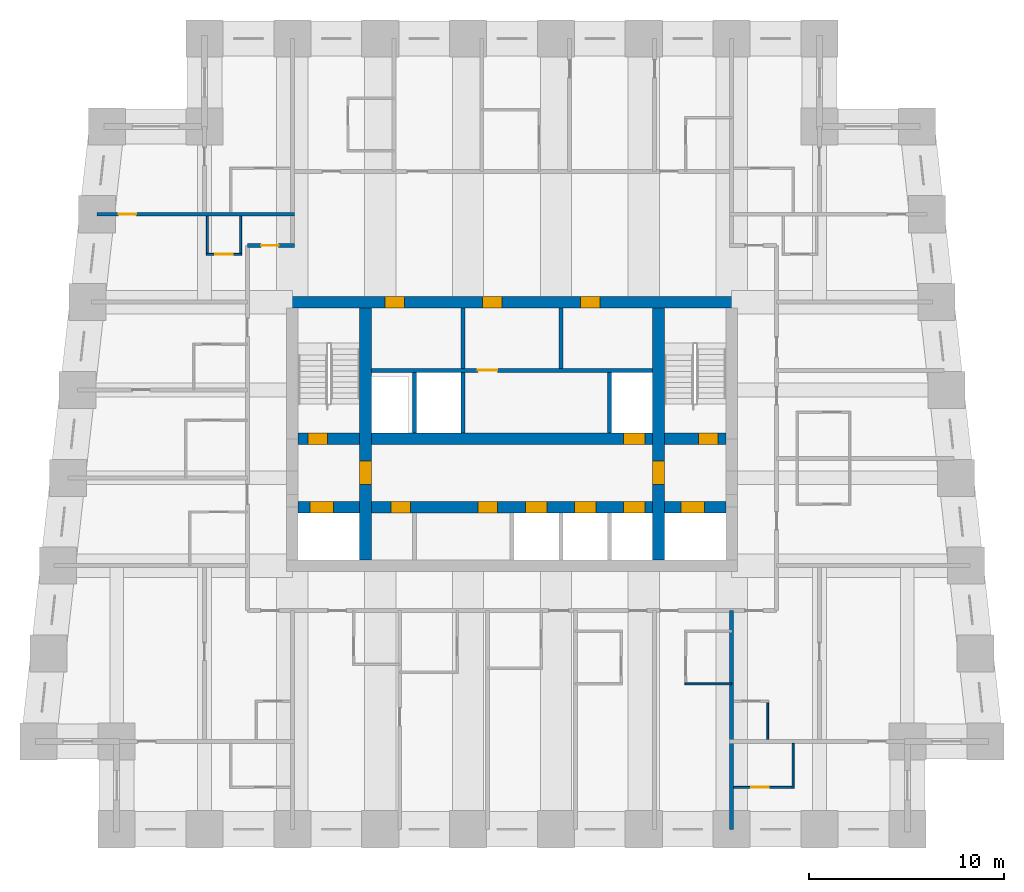
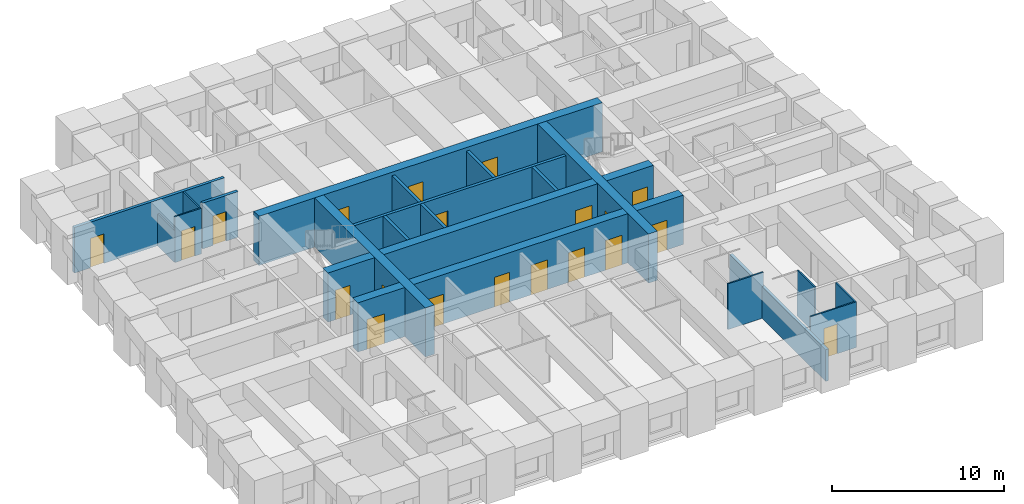
# One storey, part 4 of 8: 21 walls, 20 doors, 20 openings.
"""IFC4 building model written with IfcOpenShell, lengths in metres."""

from ifc_helpers import new_model, si_unit, direction, frame, frame_2d, origin, place, context, subcontext, project, spatial, rectangle, extrude, material, layer, layer_set, type_object, element, fill, save


model = new_model("IFC4")

# Units and contexts
model_context = context("Model", 3, precision=1e-05, world=origin(), true_north=direction((0.0, 1.0)))
body_context = subcontext(model_context, "Body", "Model", "MODEL_VIEW")
ifc_project = project(units=[si_unit("LENGTHUNIT", "METRE"), si_unit("AREAUNIT", "SQUARE_METRE"), si_unit("VOLUMEUNIT", "CUBIC_METRE"), si_unit("PLANEANGLEUNIT", "RADIAN"), si_unit("MASSUNIT", "GRAM", prefix="KILO")], contexts=[model_context])

# Site, building, storey
site_placement = place(None, origin())
site = spatial("IfcSite", under=ifc_project, at=site_placement, CompositionType="ELEMENT")
building_placement = place(site_placement, origin())
building = spatial("IfcBuilding", under=site, at=building_placement, Name="Kilele Tower Hotel", CompositionType="ELEMENT")
storey_placement = place(building_placement, frame((0.0, 0.0, 124.89990234375)))
storey = spatial("IfcBuildingStorey", under=building, at=storey_placement, Name="L32", CompositionType="ELEMENT", Elevation=124.89990234375)

# Walls
ifc_material_1 = material(Name="Moisture-resistant board")
ifc_layer_1 = layer(ifc_material_1, 0.10009765625)
ifc_layer_set_1 = layer_set([ifc_layer_1], Name="Moisture-resistant board")
wall_type_1 = type_object("IfcWallType", Name="Bathroom partition 100", PredefinedType="PLUMBINGWALL", material=ifc_layer_set_1)
wall_1_placement = place(storey_placement, frame((33.60009765625, 7.449951171875, 0.0), z_axis=(0.0, 0.0, 1.0), x_axis=(1.0, 0.0, 0.0)))
element("IfcWall", 1, at=wall_1_placement, inside=storey, type_object=wall_type_1, Name="Bathroom partition 100 L32", PredefinedType="PLUMBINGWALL", context=body_context, shape_type="SweptSolid", body=[
    extrude(rectangle(XDim=2.39990234375, YDim=0.10009765625, at=frame_2d((1.199951171875, 0.0))), origin(), (0.0, 0.0, 1.0), 3.25),
])
wall_2_placement = place(storey_placement, frame((37.85009765625, 4.60009765625, 0.0), z_axis=(0.0, 0.0, 1.0), x_axis=(0.0, 1.0, 0.0)))
element("IfcWall", 2, at=wall_2_placement, inside=storey, type_object=wall_type_1, Name="Bathroom partition 100 L32", PredefinedType="PLUMBINGWALL", context=body_context, shape_type="SweptSolid", body=[
    extrude(rectangle(XDim=2.0, YDim=0.10009765625, at=frame_2d((1.0, 0.0))), origin(), (0.0, 0.0, 1.0), 3.25),
])
wall_3_placement = place(storey_placement, frame((39.14990234375, 4.39990234375, 0.0), z_axis=(0.0, 0.0, 1.0), x_axis=(0.0, -1.0, 0.0)))
element("IfcWall", 3, at=wall_3_placement, inside=storey, type_object=wall_type_1, Name="Bathroom partition 100 L32", PredefinedType="PLUMBINGWALL", context=body_context, shape_type="SweptSolid", body=[
    extrude(rectangle(XDim=2.2998046875, YDim=0.10009765625, at=frame_2d((1.14990234375, 0.0))), origin(), (0.0, 0.0, 1.0), 3.25),
])

# Wall, opening, door
wall_4_placement = place(storey_placement, frame((36.10009765625, 2.14990234375, 0.0), z_axis=(0.0, 0.0, 1.0), x_axis=(1.0, 0.0, 0.0)))
wall_4 = element("IfcWall", 4, at=wall_4_placement, inside=storey, type_object=wall_type_1, Name="Bathroom partition 100 L32", PredefinedType="PLUMBINGWALL", context=body_context, shape_type="SweptSolid", body=[
    extrude(rectangle(XDim=3.099853515625, YDim=0.10009765625, at=frame_2d((1.5498046875, 0.0))), origin(), (0.0, 0.0, 1.0), 3.25),
])
opening_1_placement = place(wall_4_placement, frame((1.7998046875, 0.0, 0.0), z_axis=(0.0, 0.0, 1.0), x_axis=(-1.0, 0.0, 0.0)))
opening_1 = element("IfcOpeningElement", 5, at=opening_1_placement, cuts=wall_4, Name="Opening D2A", PredefinedType="OPENING", context=body_context, shape_type="SweptSolid", body=[
    extrude(rectangle(XDim=0.89990234375, YDim=2.10009765625, at=frame_2d((0.449951171875, 1.050048828125))), frame((0.0, 0.06005859375, 0.0), z_axis=(0.0, -1.0, 0.0), x_axis=(1.0, 0.0, 0.0)), (0.0, 0.0, 1.0), 0.1201171875),
])
ifc_material_2 = material(Name="Timber door leaf in hardwood frame", Category="wood")
door_type_1 = type_object("IfcDoorType", Name="Bathroom door 900", OperationType="SINGLE_SWING_LEFT", PredefinedType="DOOR", material=ifc_material_2)
door_1_placement = place(opening_1_placement, origin())
door_1 = element("IfcDoor", 6, at=door_1_placement, inside=storey, type_object=door_type_1, Name="Bathroom door 3222B", OperationType="SINGLE_SWING_RIGHT", OverallHeight=2.10009765625, OverallWidth=0.89990234375, PredefinedType="DOOR", context=body_context, shape_type="SweptSolid", body=[
    extrude(rectangle(XDim=0.89990234375, YDim=2.10009765625, at=frame_2d((0.449951171875, 1.050048828125))), frame((0.0, 0.02490234375, 0.0), z_axis=(0.0, -1.0, 0.0), x_axis=(1.0, 0.0, 0.0)), (0.0, 0.0, 1.0), 0.050048828125),
])
fill(opening_1, door_1)

# Walls
wall_5_placement = place(storey_placement, frame((9.14990234375, 31.39990234375, 0.0), z_axis=(0.0, 0.0, 1.0), x_axis=(0.0, -1.0, 0.0)))
element("IfcWall", 7, at=wall_5_placement, inside=storey, type_object=wall_type_1, Name="Bathroom partition 100 L32", PredefinedType="PLUMBINGWALL", context=body_context, shape_type="SweptSolid", body=[
    extrude(rectangle(XDim=2.0, YDim=0.10009765625, at=frame_2d((1.0, 0.0))), origin(), (0.0, 0.0, 1.0), 2.25),
])
wall_6_placement = place(storey_placement, frame((10.85009765625, 31.39990234375, 0.0), z_axis=(0.0, 0.0, 1.0), x_axis=(0.0, -1.0, 0.0)))
element("IfcWall", 8, at=wall_6_placement, inside=storey, type_object=wall_type_1, Name="Bathroom partition 100 L32", PredefinedType="PLUMBINGWALL", context=body_context, shape_type="SweptSolid", body=[
    extrude(rectangle(XDim=2.0, YDim=0.10009765625, at=frame_2d((1.0, 0.0))), origin(), (0.0, 0.0, 1.0), 3.25),
])

# Wall, opening, door
wall_7_placement = place(storey_placement, frame((10.89990234375, 29.449951171875, 0.0), z_axis=(0.0, 0.0, 1.0), x_axis=(-1.0, 0.0, 0.0)))
wall_7 = element("IfcWall", 9, at=wall_7_placement, inside=storey, type_object=wall_type_1, Name="Bathroom partition 100 L32", PredefinedType="PLUMBINGWALL", context=body_context, shape_type="SweptSolid", body=[
    extrude(rectangle(XDim=1.7998046875, YDim=0.10009765625, at=frame_2d((0.89990234375, 0.0))), origin(), (0.0, 0.0, 1.0), 3.25),
])
opening_2_placement = place(wall_7_placement, frame((0.449951171875, 0.0, 0.0)))
opening_2 = element("IfcOpeningElement", 10, at=opening_2_placement, cuts=wall_7, Name="Opening D2A", PredefinedType="OPENING", context=body_context, shape_type="SweptSolid", body=[
    extrude(rectangle(XDim=0.89990234375, YDim=2.10009765625, at=frame_2d((0.449951171875, 1.050048828125))), frame((0.0, 0.06005859375, 0.0), z_axis=(0.0, -1.0, 0.0), x_axis=(1.0, 0.0, 0.0)), (0.0, 0.0, 1.0), 0.1201171875),
])
door_2_placement = place(opening_2_placement, origin())
door_2 = element("IfcDoor", 11, at=door_2_placement, inside=storey, type_object=door_type_1, Name="Bathroom door 3226P", OperationType="SINGLE_SWING_LEFT", OverallHeight=2.10009765625, OverallWidth=0.89990234375, PredefinedType="DOOR", context=body_context, shape_type="SweptSolid", body=[
    extrude(rectangle(XDim=0.89990234375, YDim=2.10009765625, at=frame_2d((0.449951171875, 1.050048828125))), frame((0.0, 0.02490234375, 0.0), z_axis=(0.0, -1.0, 0.0), x_axis=(1.0, 0.0, 0.0)), (0.0, 0.0, 1.0), 0.050048828125),
])
fill(opening_2, door_2)

# Wall, openings, doors
ifc_material_3 = material(Name="Concrete C60/75", Category="concrete")
ifc_layer_2 = layer(ifc_material_3, 0.60009765625)
ifc_layer_set_2 = layer_set([ifc_layer_2], Name="Concrete C60/75")
wall_type_2 = type_object("IfcWallType", Name="Core wall 600 C60/75", PredefinedType="SHEAR", material=ifc_layer_set_2)
wall_8_placement = place(storey_placement, frame((36.300048828125, 27.0, 0.0), z_axis=(0.0, 0.0, 1.0), x_axis=(-1.0, 0.0, 0.0)))
wall_8 = element("IfcWall", 12, at=wall_8_placement, inside=storey, type_object=wall_type_2, Name="Core wall N L32", PredefinedType="SHEAR", context=body_context, shape_type="SweptSolid", body=[
    extrude(rectangle(XDim=23.10009765625, YDim=0.60009765625, at=frame_2d((11.550048828125, 0.0))), origin(), (0.0, 0.0, 1.0), 3.5),
])
opening_3_placement = place(wall_8_placement, frame((17.050048828125, 0.0, 0.0)))
opening_3 = element("IfcOpeningElement", 13, at=opening_3_placement, cuts=wall_8, Name="Opening D6", PredefinedType="OPENING", context=body_context, shape_type="SweptSolid", body=[
    extrude(rectangle(XDim=1.0, YDim=2.10009765625, at=frame_2d((0.5, 1.050048828125))), frame((0.0, 0.31005859375, 0.0), z_axis=(0.0, -1.0, 0.0), x_axis=(1.0, 0.0, 0.0)), (0.0, 0.0, 1.0), 0.6201171875),
])
opening_4_placement = place(wall_8_placement, frame((12.050048828125, 0.0, 0.0)))
opening_4 = element("IfcOpeningElement", 14, at=opening_4_placement, cuts=wall_8, Name="Opening D6", PredefinedType="OPENING", context=body_context, shape_type="SweptSolid", body=[
    extrude(rectangle(XDim=1.0, YDim=2.10009765625, at=frame_2d((0.5, 1.050048828125))), frame((0.0, 0.31005859375, 0.0), z_axis=(0.0, -1.0, 0.0), x_axis=(1.0, 0.0, 0.0)), (0.0, 0.0, 1.0), 0.6201171875),
])
opening_5_placement = place(wall_8_placement, frame((7.050048828125, 0.0, 0.0)))
opening_5 = element("IfcOpeningElement", 15, at=opening_5_placement, cuts=wall_8, Name="Opening D6", PredefinedType="OPENING", context=body_context, shape_type="SweptSolid", body=[
    extrude(rectangle(XDim=1.0, YDim=2.10009765625, at=frame_2d((0.5, 1.050048828125))), frame((0.0, 0.31005859375, 0.0), z_axis=(0.0, -1.0, 0.0), x_axis=(1.0, 0.0, 0.0)), (0.0, 0.0, 1.0), 0.6201171875),
])
ifc_material_4 = material(Name="Timber door leaf in hardwood frame", Category="wood")
door_type_2 = type_object("IfcDoorType", Name="Riser door 1000", OperationType="SINGLE_SWING_LEFT", PredefinedType="DOOR", material=ifc_material_4)
door_3_placement = place(opening_3_placement, origin())
door_3 = element("IfcDoor", 16, at=door_3_placement, inside=storey, type_object=door_type_2, Name="Service riser door L32", OperationType="SINGLE_SWING_RIGHT", OverallHeight=2.10009765625, OverallWidth=1.0, PredefinedType="DOOR", context=body_context, shape_type="SweptSolid", body=[
    extrude(rectangle(XDim=1.0, YDim=2.10009765625, at=frame_2d((0.5, 1.050048828125))), frame((0.0, 0.2998046875, 0.0), z_axis=(0.0, -1.0, 0.0), x_axis=(1.0, 0.0, 0.0)), (0.0, 0.0, 1.0), 0.599609375),
])
fill(opening_3, door_3)
door_4_placement = place(opening_4_placement, origin())
door_4 = element("IfcDoor", 17, at=door_4_placement, inside=storey, type_object=door_type_2, Name="Housekeeping store door L32", OperationType="SINGLE_SWING_RIGHT", OverallHeight=2.10009765625, OverallWidth=1.0, PredefinedType="DOOR", context=body_context, shape_type="SweptSolid", body=[
    extrude(rectangle(XDim=1.0, YDim=2.10009765625, at=frame_2d((0.5, 1.050048828125))), frame((0.0, 0.2998046875, 0.0), z_axis=(0.0, -1.0, 0.0), x_axis=(1.0, 0.0, 0.0)), (0.0, 0.0, 1.0), 0.599609375),
])
fill(opening_4, door_4)
door_5_placement = place(opening_5_placement, origin())
door_5 = element("IfcDoor", 18, at=door_5_placement, inside=storey, type_object=door_type_2, Name="Electrical riser door L32", OperationType="SINGLE_SWING_RIGHT", OverallHeight=2.10009765625, OverallWidth=1.0, PredefinedType="DOOR", context=body_context, shape_type="SweptSolid", body=[
    extrude(rectangle(XDim=1.0, YDim=2.10009765625, at=frame_2d((0.5, 1.050048828125))), frame((0.0, 0.2998046875, 0.0), z_axis=(0.0, -1.0, 0.0), x_axis=(1.0, 0.0, 0.0)), (0.0, 0.0, 1.0), 0.599609375),
])
fill(opening_5, door_5)

# Wall, opening, door
wall_9_placement = place(storey_placement, frame((17.25, 13.800048828125, 0.0), z_axis=(0.0, 0.0, 1.0), x_axis=(0.0, 1.0, 0.0)))
wall_9 = element("IfcWall", 19, at=wall_9_placement, inside=storey, type_object=wall_type_2, Name="Core wall IW L32", PredefinedType="SHEAR", context=body_context, shape_type="SweptSolid", body=[
    extrude(rectangle(XDim=12.89990234375, YDim=0.60009765625, at=frame_2d((6.449951171875, 0.0))), origin(), (0.0, 0.0, 1.0), 3.5),
])
opening_6_placement = place(wall_9_placement, frame((3.85009765625, 0.0, 0.0)))
opening_6 = element("IfcOpeningElement", 20, at=opening_6_placement, cuts=wall_9, Name="Opening D4", PredefinedType="OPENING", context=body_context, shape_type="SweptSolid", body=[
    extrude(rectangle(XDim=1.199951171875, YDim=2.10009765625, at=frame_2d((0.60009765625, 1.050048828125))), frame((0.0, 0.31005859375, 0.0), z_axis=(0.0, -1.0, 0.0), x_axis=(1.0, 0.0, 0.0)), (0.0, 0.0, 1.0), 0.6201171875),
])
ifc_material_5 = material(Name="Timber door leaf in hardwood frame", Category="wood")
door_type_3 = type_object("IfcDoorType", Name="Firefighting lobby door 1200", OperationType="SINGLE_SWING_LEFT", PredefinedType="DOOR", material=ifc_material_5)
door_6_placement = place(opening_6_placement, origin())
door_6 = element("IfcDoor", 21, at=door_6_placement, inside=storey, type_object=door_type_3, Name="Lobby door L32", OperationType="SINGLE_SWING_LEFT", OverallHeight=2.10009765625, OverallWidth=1.199951171875, PredefinedType="DOOR", context=body_context, shape_type="SweptSolid", body=[
    extrude(rectangle(XDim=1.199951171875, YDim=2.10009765625, at=frame_2d((0.60009765625, 1.050048828125))), frame((0.0, 0.2998046875, 0.0), z_axis=(0.0, -1.0, 0.0), x_axis=(1.0, 0.0, 0.0)), (0.0, 0.0, 1.0), 0.599609375),
])
fill(opening_6, door_6)

wall_10_placement = place(storey_placement, frame((32.25, 13.800048828125, 0.0), z_axis=(0.0, 0.0, 1.0), x_axis=(0.0, 1.0, 0.0)))
wall_10 = element("IfcWall", 22, at=wall_10_placement, inside=storey, type_object=wall_type_2, Name="Core wall IE L32", PredefinedType="SHEAR", context=body_context, shape_type="SweptSolid", body=[
    extrude(rectangle(XDim=12.89990234375, YDim=0.60009765625, at=frame_2d((6.449951171875, 0.0))), origin(), (0.0, 0.0, 1.0), 3.5),
])
opening_7_placement = place(wall_10_placement, frame((5.050048828125, 0.0, 0.0), z_axis=(0.0, 0.0, 1.0), x_axis=(-1.0, 0.0, 0.0)))
opening_7 = element("IfcOpeningElement", 23, at=opening_7_placement, cuts=wall_10, Name="Opening D4", PredefinedType="OPENING", context=body_context, shape_type="SweptSolid", body=[
    extrude(rectangle(XDim=1.199951171875, YDim=2.10009765625, at=frame_2d((0.60009765625, 1.050048828125))), frame((0.0, 0.31005859375, 0.0), z_axis=(0.0, -1.0, 0.0), x_axis=(1.0, 0.0, 0.0)), (0.0, 0.0, 1.0), 0.6201171875),
])
door_7_placement = place(opening_7_placement, origin())
door_7 = element("IfcDoor", 24, at=door_7_placement, inside=storey, type_object=door_type_3, Name="Lobby door L32", OperationType="SINGLE_SWING_RIGHT", OverallHeight=2.10009765625, OverallWidth=1.199951171875, PredefinedType="DOOR", context=body_context, shape_type="SweptSolid", body=[
    extrude(rectangle(XDim=1.199951171875, YDim=2.10009765625, at=frame_2d((0.60009765625, 1.050048828125))), frame((0.0, 0.2998046875, 0.0), z_axis=(0.0, -1.0, 0.0), x_axis=(1.0, 0.0, 0.0)), (0.0, 0.0, 1.0), 0.599609375),
])
fill(opening_7, door_7)

# Wall, openings, doors
wall_11_placement = place(storey_placement, frame((13.800048828125, 16.5, 0.0), z_axis=(0.0, 0.0, 1.0), x_axis=(1.0, 0.0, 0.0)))
wall_11 = element("IfcWall", 25, at=wall_11_placement, inside=storey, type_object=wall_type_2, Name="Core wall LS L32", PredefinedType="SHEAR", context=body_context, shape_type="SweptSolid", body=[
    extrude(rectangle(XDim=21.89990234375, YDim=0.60009765625, at=frame_2d((10.949951171875, 0.0))), origin(), (0.0, 0.0, 1.0), 3.5),
])
opening_8_placement = place(wall_11_placement, frame((11.64990234375, 0.0, 0.0)))
opening_8 = element("IfcOpeningElement", 26, at=opening_8_placement, cuts=wall_11, Name="Opening LD1", PredefinedType="OPENING", context=body_context, shape_type="SweptSolid", body=[
    extrude(rectangle(XDim=1.10009765625, YDim=2.10009765625, at=frame_2d((0.550048828125, 1.050048828125))), frame((0.0, 0.31005859375, 0.0), z_axis=(0.0, -1.0, 0.0), x_axis=(1.0, 0.0, 0.0)), (0.0, 0.0, 1.0), 0.6201171875),
])
opening_9_placement = place(wall_11_placement, frame((14.14990234375, 0.0, 0.0)))
opening_9 = element("IfcOpeningElement", 27, at=opening_9_placement, cuts=wall_11, Name="Opening LD1", PredefinedType="OPENING", context=body_context, shape_type="SweptSolid", body=[
    extrude(rectangle(XDim=1.10009765625, YDim=2.10009765625, at=frame_2d((0.550048828125, 1.050048828125))), frame((0.0, 0.31005859375, 0.0), z_axis=(0.0, -1.0, 0.0), x_axis=(1.0, 0.0, 0.0)), (0.0, 0.0, 1.0), 0.6201171875),
])
opening_10_placement = place(wall_11_placement, frame((16.64990234375, 0.0, 0.0)))
opening_10 = element("IfcOpeningElement", 28, at=opening_10_placement, cuts=wall_11, Name="Opening LD1", PredefinedType="OPENING", context=body_context, shape_type="SweptSolid", body=[
    extrude(rectangle(XDim=1.10009765625, YDim=2.10009765625, at=frame_2d((0.550048828125, 1.050048828125))), frame((0.0, 0.31005859375, 0.0), z_axis=(0.0, -1.0, 0.0), x_axis=(1.0, 0.0, 0.0)), (0.0, 0.0, 1.0), 0.6201171875),
])
opening_11_placement = place(wall_11_placement, frame((5.75, 0.0, 0.0), z_axis=(0.0, 0.0, 1.0), x_axis=(-1.0, 0.0, 0.0)))
opening_11 = element("IfcOpeningElement", 29, at=opening_11_placement, cuts=wall_11, Name="Opening D11", PredefinedType="OPENING", context=body_context, shape_type="SweptSolid", body=[
    extrude(rectangle(XDim=1.0, YDim=2.10009765625, at=frame_2d((0.5, 1.050048828125))), frame((0.0, 0.31005859375, 0.0), z_axis=(0.0, -1.0, 0.0), x_axis=(1.0, 0.0, 0.0)), (0.0, 0.0, 1.0), 0.6201171875),
])
opening_12_placement = place(wall_11_placement, frame((10.199951171875, 0.0, 0.0), z_axis=(0.0, 0.0, 1.0), x_axis=(-1.0, 0.0, 0.0)))
opening_12 = element("IfcOpeningElement", 30, at=opening_12_placement, cuts=wall_11, Name="Opening D11", PredefinedType="OPENING", context=body_context, shape_type="SweptSolid", body=[
    extrude(rectangle(XDim=1.0, YDim=2.10009765625, at=frame_2d((0.5, 1.050048828125))), frame((0.0, 0.31005859375, 0.0), z_axis=(0.0, -1.0, 0.0), x_axis=(1.0, 0.0, 0.0)), (0.0, 0.0, 1.0), 0.6201171875),
])
opening_13_placement = place(wall_11_placement, frame((0.60009765625, 0.0, 0.0)))
opening_13 = element("IfcOpeningElement", 31, at=opening_13_placement, cuts=wall_11, Name="Opening LD2", PredefinedType="OPENING", context=body_context, shape_type="SweptSolid", body=[
    extrude(rectangle(XDim=1.199951171875, YDim=2.10009765625, at=frame_2d((0.60009765625, 1.050048828125))), frame((0.0, 0.31005859375, 0.0), z_axis=(0.0, -1.0, 0.0), x_axis=(1.0, 0.0, 0.0)), (0.0, 0.0, 1.0), 0.6201171875),
])
opening_14_placement = place(wall_11_placement, frame((19.60009765625, 0.0, 0.0)))
opening_14 = element("IfcOpeningElement", 32, at=opening_14_placement, cuts=wall_11, Name="Opening LD2", PredefinedType="OPENING", context=body_context, shape_type="SweptSolid", body=[
    extrude(rectangle(XDim=1.199951171875, YDim=2.10009765625, at=frame_2d((0.60009765625, 1.050048828125))), frame((0.0, 0.31005859375, 0.0), z_axis=(0.0, -1.0, 0.0), x_axis=(1.0, 0.0, 0.0)), (0.0, 0.0, 1.0), 0.6201171875),
])
ifc_material_6 = material(Name="Timber door leaf in hardwood frame", Category="wood")
door_type_4 = type_object("IfcDoorType", Name="Core store door 1000", OperationType="SINGLE_SWING_LEFT", PredefinedType="DOOR", material=ifc_material_6)
door_8_placement = place(opening_11_placement, origin())
door_8 = element("IfcDoor", 33, at=door_8_placement, inside=storey, type_object=door_type_4, Name="Core room door L1 L32", OperationType="SINGLE_SWING_LEFT", OverallHeight=2.10009765625, OverallWidth=1.0, PredefinedType="DOOR", context=body_context, shape_type="SweptSolid", body=[
    extrude(rectangle(XDim=1.0, YDim=2.10009765625, at=frame_2d((0.5, 1.050048828125))), frame((0.0, 0.2998046875, 0.0), z_axis=(0.0, -1.0, 0.0), x_axis=(1.0, 0.0, 0.0)), (0.0, 0.0, 1.0), 0.599609375),
])
fill(opening_11, door_8)
door_9_placement = place(opening_12_placement, origin())
door_9 = element("IfcDoor", 34, at=door_9_placement, inside=storey, type_object=door_type_4, Name="Core room door L3 L32", OperationType="SINGLE_SWING_LEFT", OverallHeight=2.10009765625, OverallWidth=1.0, PredefinedType="DOOR", context=body_context, shape_type="SweptSolid", body=[
    extrude(rectangle(XDim=1.0, YDim=2.10009765625, at=frame_2d((0.5, 1.050048828125))), frame((0.0, 0.2998046875, 0.0), z_axis=(0.0, -1.0, 0.0), x_axis=(1.0, 0.0, 0.0)), (0.0, 0.0, 1.0), 0.599609375),
])
fill(opening_12, door_9)
ifc_material_7 = material(Name="Steel lift landing door", Category="steel")
door_type_5 = type_object("IfcDoorType", Name="Firefighting lift landing door 1200", OperationType="SLIDING_TO_LEFT", PredefinedType="DOOR", material=ifc_material_7)
door_10_placement = place(opening_13_placement, origin())
door_10 = element("IfcDoor", 35, at=door_10_placement, inside=storey, type_object=door_type_5, Name="Landing door FFW L32", OperationType="SLIDING_TO_LEFT", OverallHeight=2.10009765625, OverallWidth=1.199951171875, PredefinedType="DOOR", context=body_context, shape_type="SweptSolid", body=[
    extrude(rectangle(XDim=1.199951171875, YDim=2.10009765625, at=frame_2d((0.60009765625, 1.050048828125))), frame((0.0, 0.2998046875, 0.0), z_axis=(0.0, -1.0, 0.0), x_axis=(1.0, 0.0, 0.0)), (0.0, 0.0, 1.0), 0.599609375),
])
fill(opening_13, door_10)
door_11_placement = place(opening_14_placement, origin())
door_11 = element("IfcDoor", 36, at=door_11_placement, inside=storey, type_object=door_type_5, Name="Landing door FFE L32", OperationType="SLIDING_TO_LEFT", OverallHeight=2.10009765625, OverallWidth=1.199951171875, PredefinedType="DOOR", context=body_context, shape_type="SweptSolid", body=[
    extrude(rectangle(XDim=1.199951171875, YDim=2.10009765625, at=frame_2d((0.60009765625, 1.050048828125))), frame((0.0, 0.2998046875, 0.0), z_axis=(0.0, -1.0, 0.0), x_axis=(1.0, 0.0, 0.0)), (0.0, 0.0, 1.0), 0.599609375),
])
fill(opening_14, door_11)
ifc_material_8 = material(Name="Steel lift landing door", Category="steel")
door_type_6 = type_object("IfcDoorType", Name="Lift landing door 1100", OperationType="SLIDING_TO_LEFT", PredefinedType="DOOR", material=ifc_material_8)
door_12_placement = place(opening_8_placement, origin())
door_12 = element("IfcDoor", 37, at=door_12_placement, inside=storey, type_object=door_type_6, Name="Landing door M1 L32", OperationType="SLIDING_TO_LEFT", OverallHeight=2.10009765625, OverallWidth=1.10009765625, PredefinedType="DOOR", context=body_context, shape_type="SweptSolid", body=[
    extrude(rectangle(XDim=1.10009765625, YDim=2.10009765625, at=frame_2d((0.550048828125, 1.050048828125))), frame((0.0, 0.2998046875, 0.0), z_axis=(0.0, -1.0, 0.0), x_axis=(1.0, 0.0, 0.0)), (0.0, 0.0, 1.0), 0.599609375),
])
fill(opening_8, door_12)
door_13_placement = place(opening_9_placement, origin())
door_13 = element("IfcDoor", 38, at=door_13_placement, inside=storey, type_object=door_type_6, Name="Landing door M2 L32", OperationType="SLIDING_TO_LEFT", OverallHeight=2.10009765625, OverallWidth=1.10009765625, PredefinedType="DOOR", context=body_context, shape_type="SweptSolid", body=[
    extrude(rectangle(XDim=1.10009765625, YDim=2.10009765625, at=frame_2d((0.550048828125, 1.050048828125))), frame((0.0, 0.2998046875, 0.0), z_axis=(0.0, -1.0, 0.0), x_axis=(1.0, 0.0, 0.0)), (0.0, 0.0, 1.0), 0.599609375),
])
fill(opening_9, door_13)
door_14_placement = place(opening_10_placement, origin())
door_14 = element("IfcDoor", 39, at=door_14_placement, inside=storey, type_object=door_type_6, Name="Landing door M3 L32", OperationType="SLIDING_TO_LEFT", OverallHeight=2.10009765625, OverallWidth=1.10009765625, PredefinedType="DOOR", context=body_context, shape_type="SweptSolid", body=[
    extrude(rectangle(XDim=1.10009765625, YDim=2.10009765625, at=frame_2d((0.550048828125, 1.050048828125))), frame((0.0, 0.2998046875, 0.0), z_axis=(0.0, -1.0, 0.0), x_axis=(1.0, 0.0, 0.0)), (0.0, 0.0, 1.0), 0.599609375),
])
fill(opening_10, door_14)

wall_12_placement = place(storey_placement, frame((13.800048828125, 20.0, 0.0), z_axis=(0.0, 0.0, 1.0), x_axis=(1.0, 0.0, 0.0)))
wall_12 = element("IfcWall", 40, at=wall_12_placement, inside=storey, type_object=wall_type_2, Name="Core wall LN L32", PredefinedType="SHEAR", context=body_context, shape_type="SweptSolid", body=[
    extrude(rectangle(XDim=21.89990234375, YDim=0.60009765625, at=frame_2d((10.949951171875, 0.0))), origin(), (0.0, 0.0, 1.0), 3.5),
])
opening_15_placement = place(wall_12_placement, frame((0.5, 0.0, 0.0)))
opening_15 = element("IfcOpeningElement", 41, at=opening_15_placement, cuts=wall_12, Name="Opening D5", PredefinedType="OPENING", context=body_context, shape_type="SweptSolid", body=[
    extrude(rectangle(XDim=1.0, YDim=2.10009765625, at=frame_2d((0.5, 1.050048828125))), frame((0.0, 0.31005859375, 0.0), z_axis=(0.0, -1.0, 0.0), x_axis=(1.0, 0.0, 0.0)), (0.0, 0.0, 1.0), 0.6201171875),
])
opening_16_placement = place(wall_12_placement, frame((20.5, 0.0, 0.0)))
opening_16 = element("IfcOpeningElement", 42, at=opening_16_placement, cuts=wall_12, Name="Opening D5", PredefinedType="OPENING", context=body_context, shape_type="SweptSolid", body=[
    extrude(rectangle(XDim=1.0, YDim=2.10009765625, at=frame_2d((0.5, 1.050048828125))), frame((0.0, 0.31005859375, 0.0), z_axis=(0.0, -1.0, 0.0), x_axis=(1.0, 0.0, 0.0)), (0.0, 0.0, 1.0), 0.6201171875),
])
opening_17_placement = place(wall_12_placement, frame((16.64990234375, 0.0, 0.0)))
opening_17 = element("IfcOpeningElement", 43, at=opening_17_placement, cuts=wall_12, Name="Opening LD1", PredefinedType="OPENING", context=body_context, shape_type="SweptSolid", body=[
    extrude(rectangle(XDim=1.10009765625, YDim=2.10009765625, at=frame_2d((0.550048828125, 1.050048828125))), frame((0.0, 0.31005859375, 0.0), z_axis=(0.0, -1.0, 0.0), x_axis=(1.0, 0.0, 0.0)), (0.0, 0.0, 1.0), 0.6201171875),
])
door_15_placement = place(opening_17_placement, origin())
door_15 = element("IfcDoor", 44, at=door_15_placement, inside=storey, type_object=door_type_6, Name="Landing door G1 L32", OperationType="SLIDING_TO_LEFT", OverallHeight=2.10009765625, OverallWidth=1.10009765625, PredefinedType="DOOR", context=body_context, shape_type="SweptSolid", body=[
    extrude(rectangle(XDim=1.10009765625, YDim=2.10009765625, at=frame_2d((0.550048828125, 1.050048828125))), frame((0.0, 0.2998046875, 0.0), z_axis=(0.0, -1.0, 0.0), x_axis=(1.0, 0.0, 0.0)), (0.0, 0.0, 1.0), 0.599609375),
])
fill(opening_17, door_15)
ifc_material_9 = material(Name="Timber door leaf in hardwood frame", Category="wood")
door_type_7 = type_object("IfcDoorType", Name="Stair door 1000", OperationType="SINGLE_SWING_LEFT", PredefinedType="DOOR", material=ifc_material_9)
door_16_placement = place(opening_15_placement, origin())
door_16 = element("IfcDoor", 45, at=door_16_placement, inside=storey, type_object=door_type_7, Name="Stair 1 door L32", OperationType="SINGLE_SWING_LEFT", OverallHeight=2.10009765625, OverallWidth=1.0, PredefinedType="DOOR", context=body_context, shape_type="SweptSolid", body=[
    extrude(rectangle(XDim=1.0, YDim=2.10009765625, at=frame_2d((0.5, 1.050048828125))), frame((0.0, 0.2998046875, 0.0), z_axis=(0.0, -1.0, 0.0), x_axis=(1.0, 0.0, 0.0)), (0.0, 0.0, 1.0), 0.599609375),
])
fill(opening_15, door_16)
door_17_placement = place(opening_16_placement, origin())
door_17 = element("IfcDoor", 46, at=door_17_placement, inside=storey, type_object=door_type_7, Name="Stair 2 door L32", OperationType="SINGLE_SWING_RIGHT", OverallHeight=2.10009765625, OverallWidth=1.0, PredefinedType="DOOR", context=body_context, shape_type="SweptSolid", body=[
    extrude(rectangle(XDim=1.0, YDim=2.10009765625, at=frame_2d((0.5, 1.050048828125))), frame((0.0, 0.2998046875, 0.0), z_axis=(0.0, -1.0, 0.0), x_axis=(1.0, 0.0, 0.0)), (0.0, 0.0, 1.0), 0.599609375),
])
fill(opening_16, door_17)

# Wall, opening, door
ifc_material_10 = material(Name="Blockwork, plastered both sides", Category="masonry")
ifc_layer_3 = layer(ifc_material_10, 0.199951171875)
ifc_layer_set_3 = layer_set([ifc_layer_3], Name="Blockwork, plastered both sides")
wall_type_3 = type_object("IfcWallType", Name="Corridor wall 200", PredefinedType="PARTITIONING", material=ifc_layer_set_3)
wall_13_placement = place(storey_placement, frame((11.199951171875, 29.89990234375, 0.0), z_axis=(0.0, 0.0, 1.0), x_axis=(1.0, 0.0, 0.0)))
wall_13 = element("IfcWall", 47, at=wall_13_placement, inside=storey, type_object=wall_type_3, Name="Corridor wall 200 L32", PredefinedType="PARTITIONING", context=body_context, shape_type="SweptSolid", body=[
    extrude(rectangle(XDim=2.400146484375, YDim=0.199951171875, at=frame_2d((1.2001953125, 0.0))), origin(), (0.0, 0.0, 1.0), 3.25),
])
opening_18_placement = place(wall_13_placement, frame((0.699951171875, 0.0, 0.0)))
opening_18 = element("IfcOpeningElement", 48, at=opening_18_placement, cuts=wall_13, Name="Opening D1", PredefinedType="OPENING", context=body_context, shape_type="SweptSolid", body=[
    extrude(rectangle(XDim=0.89990234375, YDim=2.10009765625, at=frame_2d((0.449951171875, 1.050048828125))), frame((0.0, 0.10986328125, 0.0), z_axis=(0.0, -1.0, 0.0), x_axis=(1.0, 0.0, 0.0)), (0.0, 0.0, 1.0), 0.219970703125),
])
ifc_material_11 = material(Name="Timber door leaf in hardwood frame", Category="wood")
door_type_8 = type_object("IfcDoorType", Name="Guest room entrance door 900", OperationType="SINGLE_SWING_LEFT", PredefinedType="DOOR", material=ifc_material_11)
door_18_placement = place(opening_18_placement, origin())
door_18 = element("IfcDoor", 49, at=door_18_placement, inside=storey, type_object=door_type_8, Name="Room entrance 3226", OperationType="SINGLE_SWING_RIGHT", OverallHeight=2.10009765625, OverallWidth=0.89990234375, PredefinedType="DOOR", context=body_context, shape_type="SweptSolid", body=[
    extrude(rectangle(XDim=0.89990234375, YDim=2.10009765625, at=frame_2d((0.449951171875, 1.050048828125))), frame((0.0, 0.02490234375, 0.0), z_axis=(0.0, -1.0, 0.0), x_axis=(1.0, 0.0, 0.0)), (0.0, 0.0, 1.0), 0.050048828125),
])
fill(opening_18, door_18)

# Wall
ifc_material_12 = material(Name="Blockwork, plastered both sides", Category="masonry")
ifc_layer_4 = layer(ifc_material_12, 0.199951171875)
ifc_layer_set_4 = layer_set([ifc_layer_4], Name="Blockwork, plastered both sides")
wall_type_4 = type_object("IfcWallType", Name="Party wall 200", PredefinedType="PARTITIONING", material=ifc_layer_set_4)
wall_14_placement = place(storey_placement, frame((36.0, 11.199951171875, 0.0), z_axis=(0.0, 0.0, 1.0), x_axis=(0.0, -1.0, 0.0)))
element("IfcWall", 50, at=wall_14_placement, inside=storey, type_object=wall_type_4, Name="Party wall 200 L32", PredefinedType="PARTITIONING", context=body_context, shape_type="SweptSolid", body=[
    extrude(rectangle(XDim=11.199951171875, YDim=0.199951171875, at=frame_2d((5.60009765625, 0.0))), origin(), (0.0, 0.0, 1.0), 2.25),
])

# Wall, opening, door
wall_15_placement = place(storey_placement, frame((13.60009765625, 31.5, 0.0), z_axis=(0.0, 0.0, 1.0), x_axis=(-1.0, 0.0, 0.0)))
wall_15 = element("IfcWall", 51, at=wall_15_placement, inside=storey, type_object=wall_type_4, Name="Party wall 200 L32", PredefinedType="PARTITIONING", context=body_context, shape_type="SweptSolid", body=[
    extrude(rectangle(XDim=10.09912109375, YDim=0.199951171875, at=frame_2d((5.049560546875, 0.0))), origin(), (0.0, 0.0, 1.0), 3.25),
])
opening_19_placement = place(wall_15_placement, frame((8.9990234375, 0.0, 0.0), z_axis=(0.0, 0.0, 1.0), x_axis=(-1.0, 0.0, 0.0)))
opening_19 = element("IfcOpeningElement", 52, at=opening_19_placement, cuts=wall_15, Name="Opening D3", PredefinedType="OPENING", context=body_context, shape_type="SweptSolid", body=[
    extrude(rectangle(XDim=0.89990234375, YDim=2.10009765625, at=frame_2d((0.449951171875, 1.050048828125))), frame((0.0, 0.10986328125, 0.0), z_axis=(0.0, -1.0, 0.0), x_axis=(1.0, 0.0, 0.0)), (0.0, 0.0, 1.0), 0.219970703125),
])
ifc_material_13 = material(Name="Timber door leaf in hardwood frame", Category="wood")
door_type_9 = type_object("IfcDoorType", Name="Suite internal door 900", OperationType="SINGLE_SWING_LEFT", PredefinedType="DOOR", material=ifc_material_13)
door_19_placement = place(opening_19_placement, origin())
door_19 = element("IfcDoor", 53, at=door_19_placement, inside=storey, type_object=door_type_9, Name="Suite door 3227", OperationType="SINGLE_SWING_LEFT", OverallHeight=2.10009765625, OverallWidth=0.89990234375, PredefinedType="DOOR", context=body_context, shape_type="SweptSolid", body=[
    extrude(rectangle(XDim=0.89990234375, YDim=2.10009765625, at=frame_2d((0.449951171875, 1.050048828125))), frame((0.0, 0.02490234375, 0.0), z_axis=(0.0, -1.0, 0.0), x_axis=(1.0, 0.0, 0.0)), (0.0, 0.0, 1.0), 0.050048828125),
])
fill(opening_19, door_19)

# Walls
ifc_material_14 = material(Name="Blockwork, fire-rated", Category="masonry")
ifc_layer_5 = layer(ifc_material_14, 0.199951171875)
ifc_layer_set_5 = layer_set([ifc_layer_5], Name="Blockwork, fire-rated")
wall_type_5 = type_object("IfcWallType", Name="Shaft wall 200", PredefinedType="PARTITIONING", material=ifc_layer_set_5)
for number, where, z_axis, x_axis, name in (
    (54, (19.75, 20.300048828125, 0.0), (0.0, 0.0, 1.0), (0.0, 1.0, 0.0), "Shaft wall 200 L32"),
    (55, (22.25, 20.300048828125, 0.0), (0.0, 0.0, 1.0), (0.0, 1.0, 0.0), "Shaft wall 200 L32"),
    (56, (29.75, 20.300048828125, 0.0), (0.0, 0.0, 1.0), (0.0, 1.0, 0.0), "Shaft wall 200 L32"),
):
    element("IfcWall", number, at=place(storey_placement, frame(where, z_axis=z_axis, x_axis=x_axis)), inside=storey, type_object=wall_type_5, Name=name, PredefinedType="PARTITIONING", context=body_context, shape_type="SweptSolid", body=[
        extrude(rectangle(XDim=3.099853515625, YDim=0.199951171875, at=frame_2d((1.5498046875, 0.0))), origin(), (0.0, 0.0, 1.0), 3.25),
    ])

# Wall, opening, door
wall_16_placement = place(storey_placement, frame((17.550048828125, 23.5, 0.0), z_axis=(0.0, 0.0, 1.0), x_axis=(1.0, 0.0, 0.0)))
wall_16 = element("IfcWall", 57, at=wall_16_placement, inside=storey, type_object=wall_type_5, Name="Shaft wall 200 L32", PredefinedType="PARTITIONING", context=body_context, shape_type="SweptSolid", body=[
    extrude(rectangle(XDim=14.39990234375, YDim=0.199951171875, at=frame_2d((7.199951171875, 0.0))), origin(), (0.0, 0.0, 1.0), 3.25),
])
opening_20_placement = place(wall_16_placement, frame((5.449951171875, 0.0, 0.0)))
opening_20 = element("IfcOpeningElement", 58, at=opening_20_placement, cuts=wall_16, Name="Opening D11", PredefinedType="OPENING", context=body_context, shape_type="SweptSolid", body=[
    extrude(rectangle(XDim=1.0, YDim=2.10009765625, at=frame_2d((0.5, 1.050048828125))), frame((0.0, 0.10986328125, 0.0), z_axis=(0.0, -1.0, 0.0), x_axis=(1.0, 0.0, 0.0)), (0.0, 0.0, 1.0), 0.219970703125),
])
door_20_placement = place(opening_20_placement, origin())
door_20 = element("IfcDoor", 59, at=door_20_placement, inside=storey, type_object=door_type_4, Name="Core room door H1", OperationType="SINGLE_SWING_LEFT", OverallHeight=2.10009765625, OverallWidth=1.0, PredefinedType="DOOR", context=body_context, shape_type="SweptSolid", body=[
    extrude(rectangle(XDim=1.0, YDim=2.10009765625, at=frame_2d((0.5, 1.050048828125))), frame((0.0, 0.02490234375, 0.0), z_axis=(0.0, -1.0, 0.0), x_axis=(1.0, 0.0, 0.0)), (0.0, 0.0, 1.0), 0.050048828125),
])
fill(opening_20, door_20)

# Walls
for number, where, z_axis, x_axis, name in (
    (60, (22.25, 23.60009765625, 0.0), (0.0, 0.0, 1.0), (0.0, 1.0, 0.0), "Shaft wall 200 L32"),
    (61, (27.25, 23.60009765625, 0.0), (0.0, 0.0, 1.0), (0.0, 1.0, 0.0), "Shaft wall 200 L32"),
):
    element("IfcWall", number, at=place(storey_placement, frame(where, z_axis=z_axis, x_axis=x_axis)), inside=storey, type_object=wall_type_5, Name=name, PredefinedType="PARTITIONING", context=body_context, shape_type="SweptSolid", body=[
        extrude(rectangle(XDim=3.099853515625, YDim=0.199951171875, at=frame_2d((1.5498046875, 0.0))), origin(), (0.0, 0.0, 1.0), 3.25),
    ])

save(model, "model.ifc")
